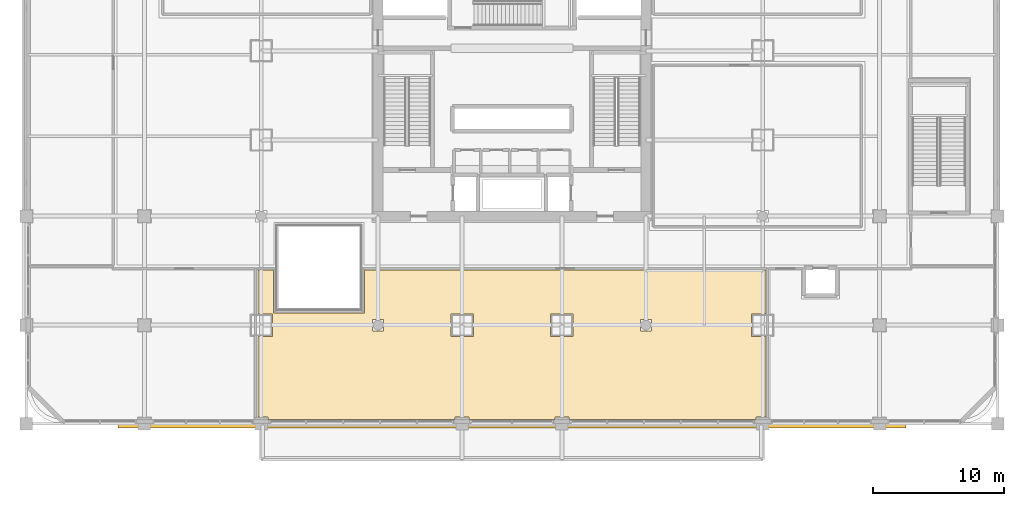
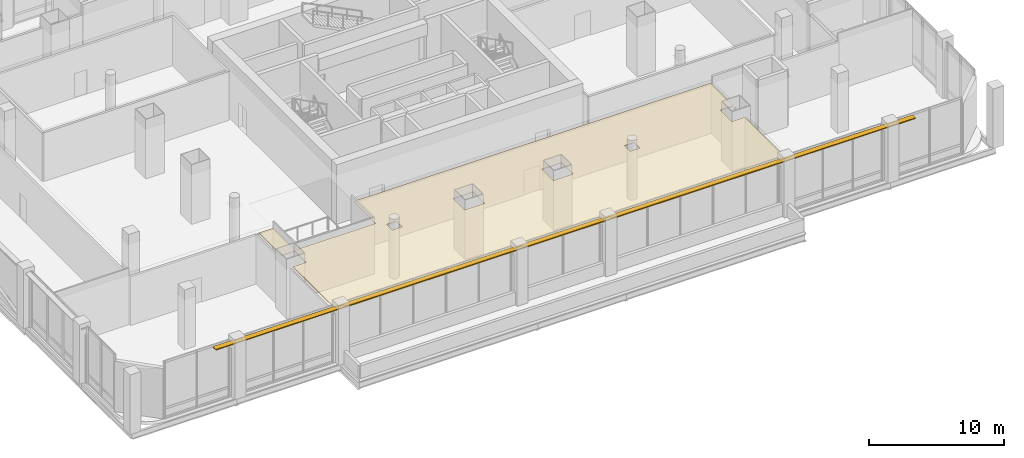
# One storey, part 35 of 43: 1 covering, 1 shading device.
"""IFC4 building model written with IfcOpenShell, lengths in metres."""

from ifc_helpers import new_model, si_unit, direction, frame, origin, origin_2d, place, context, subcontext, project, spatial, polyline, rectangle, outline, extrude, material, layer, layer_set, material_profile, profile_set, type_object, element, save


model = new_model("IFC4")

# Units and contexts
model_context = context("Model", 3, precision=1e-05, world=origin(), true_north=direction((0.0, 1.0)))
body_context = subcontext(model_context, "Body", "Model", "MODEL_VIEW")
ifc_project = project(units=[si_unit("LENGTHUNIT", "METRE"), si_unit("AREAUNIT", "SQUARE_METRE"), si_unit("VOLUMEUNIT", "CUBIC_METRE"), si_unit("PLANEANGLEUNIT", "RADIAN"), si_unit("MASSUNIT", "GRAM", prefix="KILO")], contexts=[model_context])

# Site, building, storey
site_placement = place(None, origin())
site = spatial("IfcSite", under=ifc_project, at=site_placement, CompositionType="ELEMENT")
building_placement = place(site_placement, origin())
building = spatial("IfcBuilding", under=site, at=building_placement, Name="Punatoya Terracotta Tower", CompositionType="ELEMENT")
storey_placement = place(building_placement, frame((0.0, 0.0, 6.0)))
storey = spatial("IfcBuildingStorey", under=building, at=storey_placement, Name="L01", CompositionType="ELEMENT", Elevation=6.0)

# Covering
ifc_material_1 = material(Name="Acoustic Mineral Fibre Ceiling")
ifc_layer = layer(ifc_material_1, 0.06005859375)
ifc_layer_set = layer_set([ifc_layer], Name="Acoustic Mineral Fibre Ceiling")
covering_type = type_object("IfcCoveringType", Name="COV-CEIL-60", PredefinedType="CEILING", material=ifc_layer_set)
covering_placement = place(storey_placement, frame((0.0, 0.0, 4.510009765625)))
element("IfcCovering", 1, at=covering_placement, inside=storey, type_object=covering_type, Name="L01 South Canal View Breakout Lounge Acoustic Ceiling", PredefinedType="CEILING", context=body_context, shape_type="SweptSolid", body=[
    extrude(outline(polyline([(-18.25, -16.64990234375), (-18.25, -18.35009765625), (-19.360107421875, -18.35009765625), (-19.360107421875, -24.47509765625), (-18.574951171875, -24.47509765625), (-18.574951171875, -24.679931640625), (-4.324951171875, -24.679931640625), (-4.324951171875, -24.47509765625), (-3.27490234375, -24.47509765625), (-3.27490234375, -24.679931640625), (3.27490234375, -24.679931640625), (3.27490234375, -24.47509765625), (4.324951171875, -24.47509765625), (4.324951171875, -24.679931640625), (18.574951171875, -24.679931640625), (18.574951171875, -24.47509765625), (19.360107421875, -24.47509765625), (19.360107421875, -18.35009765625), (18.25, -18.35009765625), (18.25, -16.64990234375), (19.360107421875, -16.64990234375), (19.360107421875, -13.280029296875), (-11.239990234375, -13.280029296875), (-11.239990234375, -16.56005859375), (-18.159912109375, -16.56005859375), (-18.159912109375, -13.280029296875), (-19.360107421875, -13.280029296875), (-19.360107421875, -16.64990234375), (-18.25, -16.64990234375)]), holes=[polyline([(9.77490234375, -17.074951171875), (10.625, -17.074951171875), (10.625, -17.925048828125), (9.77490234375, -17.925048828125), (9.77490234375, -17.074951171875)]), polyline([(4.64990234375, -16.64990234375), (4.64990234375, -18.35009765625), (2.949951171875, -18.35009765625), (2.949951171875, -16.64990234375), (4.64990234375, -16.64990234375)]), polyline([(-4.64990234375, -16.64990234375), (-2.949951171875, -16.64990234375), (-2.949951171875, -18.35009765625), (-4.64990234375, -18.35009765625), (-4.64990234375, -16.64990234375)]), polyline([(-10.625, -17.925048828125), (-10.625, -17.074951171875), (-9.77490234375, -17.074951171875), (-9.77490234375, -17.925048828125), (-10.625, -17.925048828125)])]), origin(), (0.0, 0.0, 1.0), 0.06005859375),
])

# Shading device
ifc_material_2 = material(Name="Architectural Fired Terracotta", Category="masonry")
ifc_material_profile = material_profile(ifc_material_2, rectangle(XDim=0.449951171875, YDim=0.080078125, at=origin_2d()))
ifc_profile_set = profile_set([ifc_material_profile], Name="Architectural Fired Terracotta")
shading_device_type = type_object("IfcShadingDeviceType", Name="SHD-CHAJ-450", PredefinedType="USERDEFINED", material=ifc_profile_set)
shading_device_placement = place(storey_placement, frame((-30.0, -25.090087890625, 4.969970703125), z_axis=(1.0, 0.0, 0.0), x_axis=(0.0, 1.0, 0.0)))
element("IfcShadingDevice", 2, at=shading_device_placement, inside=storey, type_object=shading_device_type, Name="L01 Projecting Terracotta Chhajja Sunshade 1", ObjectType="SUNSHADE", PredefinedType="USERDEFINED", context=body_context, shape_type="SweptSolid", body=[
    extrude(rectangle(XDim=0.449951171875, YDim=0.080078125, at=origin_2d()), origin(), (0.0, 0.0, 1.0), 60.0),
])

save(model, "model.ifc")
